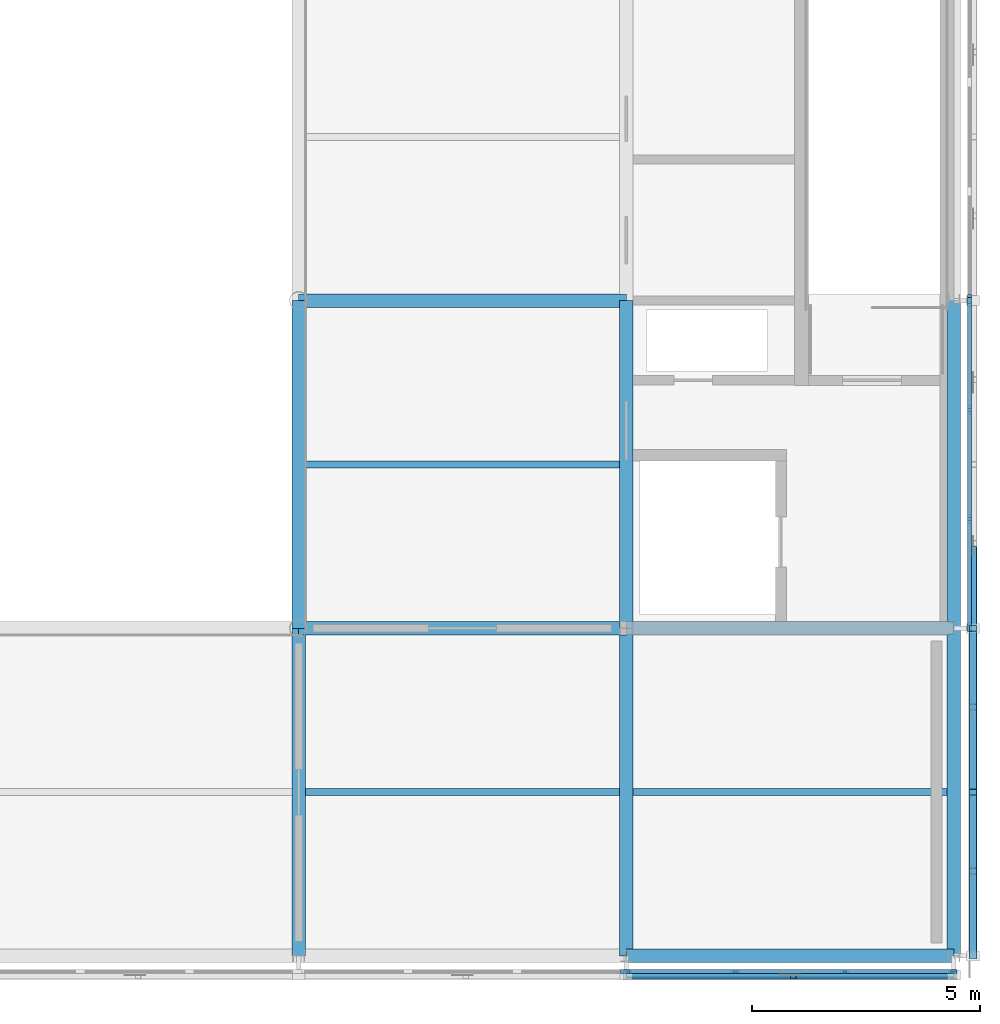
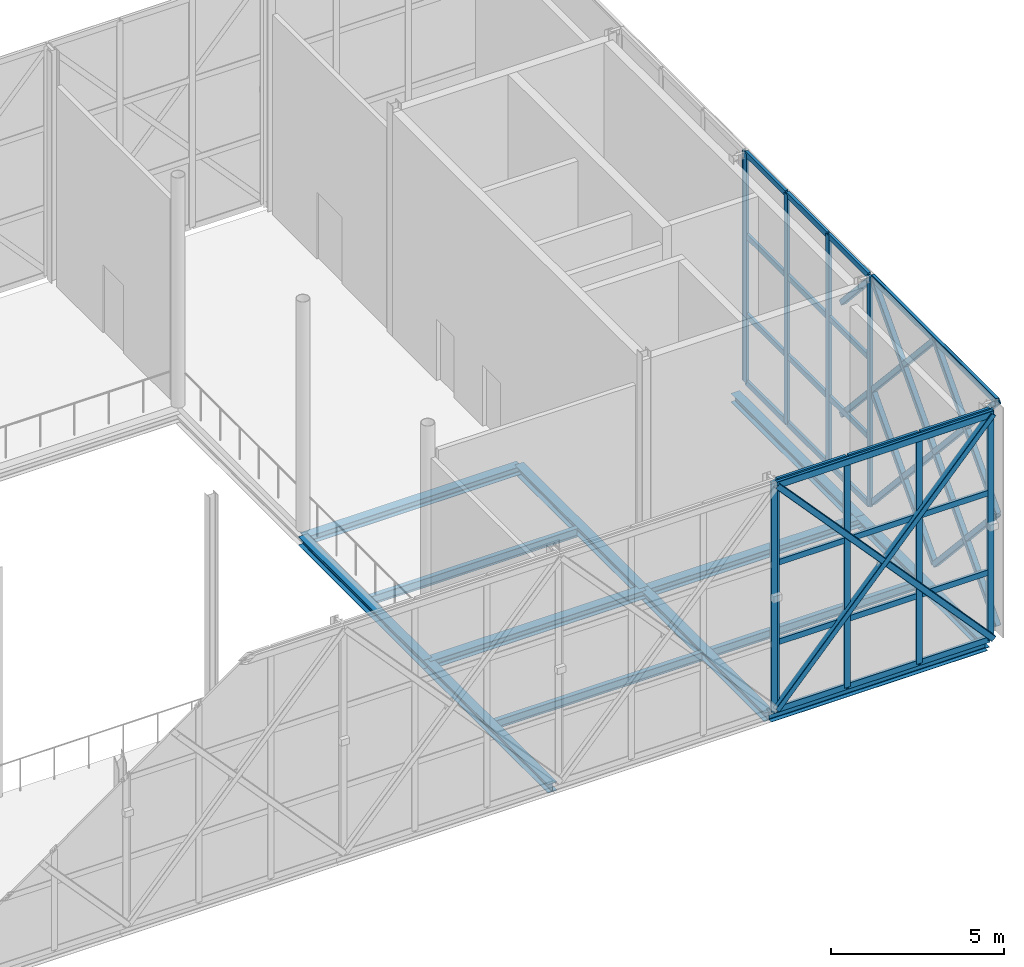
# One storey, part 18 of 76: 53 members, 13 beams, 4 elements without a shape of their own.
"""IFC4 building model written with IfcOpenShell, lengths in metres."""

import ifcopenshell
import ifcopenshell.guid

model = None  # the IFC model being written
_history = None  # IfcOwnerHistory: only IFC2X3 demands one
_inside = {}  # id of a spatial element -> (the spatial element, [elements in it])
_under = {}  # id of a project, library or spatial element -> (it, [spatial elements below it])
_declared = {}  # id of a project -> (the project, [libraries it declares])
_typed = {}  # id of a type object -> (the type object, [elements of that type])
_made_of = {}  # id of a material, layer set ... -> (it, [elements and type objects made of it])


def new_model(schema):
    """Start an empty IFC model of exactly this schema.

    Asked for "IFC4X3", IfcOpenShell would pick the latest addendum, in which some entities
    have other attributes; the version numbers below select the first issue.
    IFC2X3 requires an IfcOwnerHistory on every rooted entity: one is made here for all.
    """
    global model, _history
    if schema == "IFC4X3":
        model = ifcopenshell.file(schema_version=(4, 3, 0, 0))
    else:
        model = ifcopenshell.file(schema=schema)
    _inside.clear()
    _under.clear()
    _declared.clear()
    _typed.clear()
    _made_of.clear()
    _history = None
    if model.schema == "IFC2X3":
        org = make("IfcOrganization", Name="unknown")
        user = make(
            "IfcPersonAndOrganization",
            ThePerson=make("IfcPerson", FamilyName="unknown"),
            TheOrganization=org,
        )
        app = make(
            "IfcApplication",
            ApplicationDeveloper=org,
            Version="unknown",
            ApplicationFullName="unknown",
            ApplicationIdentifier="unknown",
        )
        _history = make(
            "IfcOwnerHistory",
            OwningUser=user,
            OwningApplication=app,
            ChangeAction="ADDED",
            CreationDate=0,
        )
    return model


def make(cls, **values):
    """One entity of the class cls with the attributes given. An attribute that is None is left unset."""
    return model.create_entity(
        cls, **{name: value for name, value in values.items() if value is not None}
    )


def rooted(cls, **values):
    """An entity with a GlobalId (a new one), such as an element, a storey or a relation."""
    return make(cls, GlobalId=ifcopenshell.guid.new(), OwnerHistory=_history, **values)


def si_unit(unit_type, name, prefix=None):
    """IfcSIUnit, for example si_unit("LENGTHUNIT", "METRE", prefix="MILLI")."""
    return make("IfcSIUnit", UnitType=unit_type, Prefix=prefix, Name=name)


def assignment(units):
    """IfcUnitAssignment: the units of a project."""
    return None if units is None else make("IfcUnitAssignment", Units=units)


def point(xyz):
    """IfcCartesianPoint."""
    return None if xyz is None else make("IfcCartesianPoint", Coordinates=xyz)


def direction(xyz):
    """IfcDirection."""
    return None if xyz is None else make("IfcDirection", DirectionRatios=xyz)


def frame(location, z_axis=None, x_axis=None):
    """IfcAxis2Placement3D, a coordinate frame: its origin and axes. An axis left out is left unset."""
    return make(
        "IfcAxis2Placement3D",
        Location=point(location),
        Axis=direction(z_axis),
        RefDirection=direction(x_axis),
    )


def frame_2d(location, x_axis=None):
    """IfcAxis2Placement2D, a coordinate frame in the plane: its origin and x axis."""
    return make(
        "IfcAxis2Placement2D", Location=point(location), RefDirection=direction(x_axis)
    )


def origin():
    """The frame at (0, 0, 0) with its axes left unset."""
    return frame((0.0, 0.0, 0.0))


def origin_2d():
    """The frame at (0, 0) in the plane with its x axis left unset."""
    return frame_2d((0.0, 0.0))


def place(relative_to, where):
    """IfcLocalPlacement: puts the frame where relative to a parent placement (None: the world)."""
    return make(
        "IfcLocalPlacement", PlacementRelTo=relative_to, RelativePlacement=where
    )


def context(
    kind, dimensions, precision=None, world=None, true_north=None, identifier=None
):
    """IfcGeometricRepresentationContext, for example the 3D "Model" context."""
    return make(
        "IfcGeometricRepresentationContext",
        ContextIdentifier=identifier,
        ContextType=kind,
        CoordinateSpaceDimension=dimensions,
        Precision=precision,
        WorldCoordinateSystem=world,
        TrueNorth=true_north,
    )


def subcontext(parent, identifier, kind, view, scale=None):
    """IfcGeometricRepresentationSubContext, for example "Body" below "Model"."""
    return make(
        "IfcGeometricRepresentationSubContext",
        ContextIdentifier=identifier,
        ContextType=kind,
        ParentContext=parent,
        TargetScale=scale,
        TargetView=view,
    )


def project(units=None, contexts=None):
    """IfcProject with its units and contexts."""
    return rooted(
        "IfcProject",
        Name="project",
        RepresentationContexts=contexts,
        UnitsInContext=assignment(units),
    )


def spatial(cls, under=None, at=None, **own):
    """A site, building, storey or space (cls), placed at a placement, below another one or the project."""
    s = rooted(cls, ObjectPlacement=at, **own)
    if under is not None:
        _under.setdefault(under.id(), (under, []))[1].append(s)
    return s


def profile(cls, at=None, kind="AREA", **sizes):
    """A parametric profile (cls). Its sizes go by their IFC names, for example OverallWidth=200.0."""
    return make(cls, ProfileType=kind, Position=at, **sizes)


def rectangle(**sizes):
    """IfcRectangleProfileDef."""
    return profile("IfcRectangleProfileDef", **sizes)


def hollow_rectangle(**sizes):
    """IfcRectangleHollowProfileDef."""
    return profile("IfcRectangleHollowProfileDef", **sizes)


def i_section(**sizes):
    """IfcIShapeProfileDef."""
    return profile("IfcIShapeProfileDef", **sizes)


def extrude(swept, where, along, depth):
    """IfcExtrudedAreaSolid: the profile swept, set in the frame where, extruded along a direction by depth."""
    return make(
        "IfcExtrudedAreaSolid",
        SweptArea=swept,
        Position=where,
        ExtrudedDirection=direction(along),
        Depth=depth,
    )


def shape(context_of_items, identifier, shape_type, items):
    """IfcShapeRepresentation: the items that make up one representation, for example the "Body"."""
    return make(
        "IfcShapeRepresentation",
        ContextOfItems=context_of_items,
        RepresentationIdentifier=identifier,
        RepresentationType=shape_type,
        Items=items,
    )


def material(Name=None, Category=None):
    """IfcMaterial."""
    return make("IfcMaterial", Name=Name, Category=Category)


def material_profile(
    of_material, cross_section, Name=None, Category=None, Priority=None
):
    """IfcMaterialProfile: a cross section and its material."""
    return make(
        "IfcMaterialProfile",
        Name=Name,
        Material=of_material,
        Profile=cross_section,
        Priority=Priority,
        Category=Category,
    )


def profile_set(profiles, Name=None, composite=None):
    """IfcMaterialProfileSet."""
    return make(
        "IfcMaterialProfileSet",
        Name=Name,
        MaterialProfiles=profiles,
        CompositeProfile=composite,
    )


def made_of(thing, what):
    """Note that an element or type object is made of a material, layer set ...; save() writes the relation."""
    if what is not None:
        _made_of.setdefault(what.id(), (what, []))[1].append(thing)
    return thing


def type_object(cls, material=None, **own):
    """A type object (cls), such as IfcWallType, which elements share."""
    return made_of(rooted(cls, **own), material)


def element(
    cls,
    number,
    at=None,
    inside=None,
    cuts=None,
    type_object=None,
    material=None,
    context=None,
    identifier="Body",
    shape_type=None,
    held_by="IfcProductDefinitionShape",
    body=None,
    shapes=None,
    **own,
):
    """One element of the class cls, such as IfcWall. Its Tag is "e" and its number.

    at: its placement. inside: the storey or other place that contains it. cuts: it is an
    opening in that element (IfcRelVoidsElement). A single representation is given by context,
    identifier, shape_type and body (its items); several are given by shapes. held_by: the class
    of the entity that holds the representations. save() writes the other relations.
    """
    e = rooted(cls, Tag="e%d" % number, ObjectPlacement=at, **own)
    if body is not None:
        shapes = [shape(context, identifier, shape_type, body)]
    if shapes is not None:
        e.Representation = make(held_by, Representations=shapes)
    if inside is not None:
        _inside.setdefault(inside.id(), (inside, []))[1].append(e)
    if cuts is not None:
        rooted(
            "IfcRelVoidsElement", RelatingBuildingElement=cuts, RelatedOpeningElement=e
        )
    if type_object is not None:
        _typed.setdefault(type_object.id(), (type_object, []))[1].append(e)
    return made_of(e, material)


def aggregate(whole, parts):
    """IfcRelAggregates: a whole, such as a stair, and the parts it consists of."""
    return rooted("IfcRelAggregates", RelatingObject=whole, RelatedObjects=parts)


def save(model, path):
    """Write the relations noted so far, then the file.

    IfcRelAggregates (storeys below a building ...), IfcRelContainedInSpatialStructure (elements
    in a storey), IfcRelDefinesByType, IfcRelAssociatesMaterial and IfcRelDeclares: one each for
    every whole, place, type object, material and project.
    """
    for whole, parts in _under.values():
        aggregate(whole, parts)
    for where, things in _inside.values():
        rooted(
            "IfcRelContainedInSpatialStructure",
            RelatedElements=things,
            RelatingStructure=where,
        )
    for kind, things in _typed.values():
        rooted("IfcRelDefinesByType", RelatedObjects=things, RelatingType=kind)
    for what, things in _made_of.values():
        rooted("IfcRelAssociatesMaterial", RelatedObjects=things, RelatingMaterial=what)
    for by, libraries in _declared.values():
        rooted("IfcRelDeclares", RelatingContext=by, RelatedDefinitions=libraries)
    model.write(path)


model = new_model("IFC4")

# Units and contexts
model_context = context("Model", 3, precision=1e-05, world=origin(), true_north=direction((0.0, 1.0)))
body_context = subcontext(model_context, "Body", "Model", "MODEL_VIEW")
ifc_project = project(units=[si_unit("LENGTHUNIT", "METRE"), si_unit("AREAUNIT", "SQUARE_METRE"), si_unit("VOLUMEUNIT", "CUBIC_METRE"), si_unit("PLANEANGLEUNIT", "RADIAN"), si_unit("MASSUNIT", "GRAM", prefix="KILO")], contexts=[model_context])

# Site, building, storey
site_placement = place(None, origin())
site = spatial("IfcSite", under=ifc_project, at=site_placement, CompositionType="ELEMENT")
building_placement = place(site_placement, origin())
building = spatial("IfcBuilding", under=site, at=building_placement, Name="Zlatovets Crest Museum", CompositionType="ELEMENT")
storey_placement = place(building_placement, frame((0.0, 0.0, 17.10009765625)))
storey = spatial("IfcBuildingStorey", under=building, at=storey_placement, Name="L04", CompositionType="ELEMENT", Elevation=17.10009765625)

# Beams
ifc_material_1 = material(Name="Structural steel S355J2", Category="steel")
ifc_material_profile_1 = material_profile(ifc_material_1, i_section(OverallWidth=0.300048828125, OverallDepth=0.31005859375, WebThickness=0.009033203125, FlangeThickness=0.015380859375, FilletRadius=0.027099609375, at=origin_2d()), Name="HEA 320")
ifc_profile_set_1 = profile_set([ifc_material_profile_1], Name="Structural steel S355J2")
beam_type_1 = type_object("IfcBeamType", Name="Beam_B-04", PredefinedType="BEAM", material=ifc_profile_set_1)
for number, where, z_axis, x_axis, name in (
    (1, (93.60009765625, 0.0, -0.39501953125), (0.0, 1.0, 0.0), (-1.0, 0.0, 0.0), "V2 L04 Grid Beam B-04"),
    (2, (93.60009765625, 7.199951171875, -0.39501953125), (0.0, 1.0, 0.0), (-1.0, 0.0, 0.0), "V2 L04 Grid Beam B-04"),
    (3, (100.800048828125, 0.0, -0.39501953125), (0.0, 1.0, 0.0), (-1.0, 0.0, 0.0), "V2 L04 Grid Beam B-04"),
    (4, (100.800048828125, 7.199951171875, -0.39501953125), (0.0, 1.0, 0.0), (-1.0, 0.0, 0.0), "V2 L04 Grid Beam B-04"),
    (5, (108.0, 0.0, -0.39501953125), (0.0, 1.0, 0.0), (-1.0, 0.0, 0.0), "V2 L04 Grid Beam B-04"),
    (6, (108.0, 7.199951171875, -0.39501953125), (0.0, 1.0, 0.0), (-1.0, 0.0, 0.0), "V2 L04 Grid Beam B-04"),
):
    element("IfcBeam", number, at=place(storey_placement, frame(where, z_axis=z_axis, x_axis=x_axis)), inside=storey, type_object=beam_type_1, Name=name, PredefinedType="BEAM", context=body_context, shape_type="SweptSolid", body=[
        extrude(i_section(OverallWidth=0.300048828125, OverallDepth=0.31005859375, WebThickness=0.009033203125, FlangeThickness=0.015380859375, FilletRadius=0.027099609375, at=origin_2d()), origin(), (0.0, 0.0, 1.0), 7.199951171875),
    ])
ifc_material_profile_2 = material_profile(ifc_material_1, i_section(OverallWidth=0.300048828125, OverallDepth=0.2900390625, WebThickness=0.008544921875, FlangeThickness=0.013916015625, FilletRadius=0.027099609375, at=origin_2d()), Name="HEA 300")
ifc_profile_set_2 = profile_set([ifc_material_profile_2], Name="Structural steel S355J2")
beam_type_2 = type_object("IfcBeamType", Name="Beam_B-12", PredefinedType="BEAM", material=ifc_profile_set_2)
for number, where, z_axis, x_axis, name in (
    (7, (100.800048828125, 0.0, -0.385009765625), (1.0, 0.0, 0.0), (0.0, 1.0, 0.0), "V2 L04 Primary Girder B-12"),
    (8, (93.60009765625, 7.199951171875, -0.385009765625), (1.0, 0.0, 0.0), (0.0, 1.0, 0.0), "V2 L04 Primary Girder B-12"),
    (9, (100.800048828125, 7.199951171875, -0.385009765625), (1.0, 0.0, 0.0), (0.0, 1.0, 0.0), "V2 L04 Primary Girder B-12"),
    (10, (93.60009765625, 14.39990234375, -0.385009765625), (1.0, 0.0, 0.0), (0.0, 1.0, 0.0), "V2 L04 Primary Girder B-12"),
):
    element("IfcBeam", number, at=place(storey_placement, frame(where, z_axis=z_axis, x_axis=x_axis)), inside=storey, type_object=beam_type_2, Name=name, PredefinedType="BEAM", context=body_context, shape_type="SweptSolid", body=[
        extrude(i_section(OverallWidth=0.300048828125, OverallDepth=0.2900390625, WebThickness=0.008544921875, FlangeThickness=0.013916015625, FilletRadius=0.027099609375, at=origin_2d()), origin(), (0.0, 0.0, 1.0), 7.199951171875),
    ])
ifc_material_profile_3 = material_profile(ifc_material_1, i_section(OverallWidth=0.14990234375, OverallDepth=0.300048828125, WebThickness=0.007080078125, FlangeThickness=0.0107421875, FilletRadius=0.014892578125, at=origin_2d()), Name="IPE 300")
ifc_profile_set_3 = profile_set([ifc_material_profile_3], Name="Structural steel S355J2")
beam_type_3 = type_object("IfcBeamType", Name="Beam_J-02", PredefinedType="JOIST", material=ifc_profile_set_3)
for number, where, z_axis, x_axis, name in (
    (11, (93.75, 3.60009765625, -0.39013671875), (1.0, 0.0, 0.0), (0.0, 1.0, 0.0), "V2 L04 Composite Joist J-02"),
    (12, (93.75, 10.800048828125, -0.39013671875), (1.0, 0.0, 0.0), (0.0, 1.0, 0.0), "V2 L04 Composite Joist J-02"),
):
    element("IfcBeam", number, at=place(storey_placement, frame(where, z_axis=z_axis, x_axis=x_axis)), inside=storey, type_object=beam_type_3, Name=name, PredefinedType="JOIST", context=body_context, shape_type="SweptSolid", body=[
        extrude(i_section(OverallWidth=0.14990234375, OverallDepth=0.300048828125, WebThickness=0.007080078125, FlangeThickness=0.0107421875, FilletRadius=0.014892578125, at=origin_2d()), origin(), (0.0, 0.0, 1.0), 6.89990234375),
    ])
beam_placement = place(storey_placement, frame((100.949951171875, 3.60009765625, -0.39013671875), z_axis=(1.0, 0.0, 0.0), x_axis=(0.0, 1.0, 0.0)))
element("IfcBeam", 13, at=beam_placement, inside=storey, type_object=beam_type_3, Name="V2 L04 Composite Joist J-02", PredefinedType="JOIST", context=body_context, shape_type="SweptSolid", body=[
    extrude(i_section(OverallWidth=0.14990234375, OverallDepth=0.300048828125, WebThickness=0.007080078125, FlangeThickness=0.0107421875, FilletRadius=0.014892578125, at=origin_2d()), origin(), (0.0, 0.0, 1.0), 6.900146484375),
])

# Curtain wall, member
ifc_material_2 = material(Name="Bronze-anodised aluminium and low-E triple glass", Category="aluminium")
curtain_wall_type_1 = type_object("IfcCurtainWallType", Name="CW_CW-V2-L04-M1", PredefinedType="NOTDEFINED", material=ifc_material_2)
curtain_wall_1_placement = place(storey_placement, origin())
curtain_wall_1 = element("IfcCurtainWall", 14, at=curtain_wall_1_placement, inside=storey, type_object=curtain_wall_type_1, Name="V2 L04 Secession Foyer Clear Curtain Wall", PredefinedType="NOTDEFINED")
ifc_material_3 = material(Name="Bronze-anodised aluminium EN AW-6060", Category="aluminium")
ifc_material_profile_4 = material_profile(ifc_material_3, rectangle(XDim=0.090087890625, YDim=0.199951171875, at=origin_2d()), Name="ALU 90x200")
ifc_profile_set_4 = profile_set([ifc_material_profile_4], Name="Bronze-anodised aluminium EN AW-6060")
member_type_1 = type_object("IfcMemberType", Name="CWMull_M2", PredefinedType="MULLION", material=ifc_profile_set_4)
member_1_placement = place(storey_placement, frame((100.77001953125, -0.340087890625, 0.0), z_axis=(0.0, 0.0, 1.0), x_axis=(0.0, 1.0, 0.0)))
member_1 = element("IfcMember", 15, at=member_1_placement, type_object=member_type_1, Name="CW-V2-L04-M1 mullion 4", PredefinedType="MULLION", context=body_context, shape_type="SweptSolid", body=[
    extrude(rectangle(XDim=0.090087890625, YDim=0.199951171875, at=origin_2d()), origin(), (0.0, 0.0, 1.0), 8.099853515625),
])
aggregate(curtain_wall_1, [member_1])

# Curtain wall, members
curtain_wall_type_2 = type_object("IfcCurtainWallType", Name="CW_CW-V2-L04-M2", PredefinedType="NOTDEFINED", material=ifc_material_2)
curtain_wall_2_placement = place(storey_placement, origin())
curtain_wall_2 = element("IfcCurtainWall", 16, at=curtain_wall_2_placement, inside=storey, type_object=curtain_wall_type_2, Name="V2 L04 Secession Foyer Clear Curtain Wall", PredefinedType="NOTDEFINED")
member_2_placement = place(storey_placement, frame((100.830078125, -0.340087890625, 0.0), z_axis=(0.0, 0.0, 1.0), x_axis=(0.0, 1.0, 0.0)))
member_2 = element("IfcMember", 17, at=member_2_placement, type_object=member_type_1, Name="CW-V2-L04-M2 mullion 1", PredefinedType="MULLION", context=body_context, shape_type="SweptSolid", body=[
    extrude(rectangle(XDim=0.090087890625, YDim=0.199951171875, at=origin_2d()), origin(), (0.0, 0.0, 1.0), 8.099853515625),
])
member_3_placement = place(storey_placement, frame((103.199951171875, -0.340087890625, 0.0), z_axis=(0.0, 0.0, 1.0), x_axis=(0.0, 1.0, 0.0)))
member_3 = element("IfcMember", 18, at=member_3_placement, type_object=member_type_1, Name="CW-V2-L04-M2 mullion 2", PredefinedType="MULLION", context=body_context, shape_type="SweptSolid", body=[
    extrude(rectangle(XDim=0.090087890625, YDim=0.199951171875, at=origin_2d()), origin(), (0.0, 0.0, 1.0), 8.099853515625),
])
member_4_placement = place(storey_placement, frame((105.60009765625, -0.340087890625, 0.0), z_axis=(0.0, 0.0, 1.0), x_axis=(0.0, 1.0, 0.0)))
member_4 = element("IfcMember", 19, at=member_4_placement, type_object=member_type_1, Name="CW-V2-L04-M2 mullion 3", PredefinedType="MULLION", context=body_context, shape_type="SweptSolid", body=[
    extrude(rectangle(XDim=0.090087890625, YDim=0.199951171875, at=origin_2d()), origin(), (0.0, 0.0, 1.0), 8.099853515625),
])
member_5_placement = place(storey_placement, frame((107.969970703125, -0.340087890625, 0.0), z_axis=(0.0, 0.0, 1.0), x_axis=(0.0, 1.0, 0.0)))
member_5 = element("IfcMember", 20, at=member_5_placement, type_object=member_type_1, Name="CW-V2-L04-M2 mullion 4", PredefinedType="MULLION", context=body_context, shape_type="SweptSolid", body=[
    extrude(rectangle(XDim=0.090087890625, YDim=0.199951171875, at=origin_2d()), origin(), (0.0, 0.0, 1.0), 8.099853515625),
])

curtain_wall_type_3 = type_object("IfcCurtainWallType", Name="CW_CW-V2-L04-M0", PredefinedType="NOTDEFINED", material=ifc_material_2)
curtain_wall_3_placement = place(storey_placement, origin())
curtain_wall_3 = element("IfcCurtainWall", 21, at=curtain_wall_3_placement, inside=storey, type_object=curtain_wall_type_3, Name="V2 L04 Expressed Core Glazed Facade", PredefinedType="NOTDEFINED")
member_6_placement = place(storey_placement, frame((108.340087890625, 7.22998046875, 0.0), z_axis=(0.0, 0.0, 1.0), x_axis=(-1.0, 0.0, 0.0)))
member_6 = element("IfcMember", 22, at=member_6_placement, type_object=member_type_1, Name="CW-V2-L04-M0 mullion 1", PredefinedType="MULLION", context=body_context, shape_type="SweptSolid", body=[
    extrude(rectangle(XDim=0.090087890625, YDim=0.199951171875, at=origin_2d()), origin(), (0.0, 0.0, 1.0), 8.099853515625),
])
member_7_placement = place(storey_placement, frame((108.340087890625, 9.60009765625, 0.0), z_axis=(0.0, 0.0, 1.0), x_axis=(-1.0, 0.0, 0.0)))
member_7 = element("IfcMember", 23, at=member_7_placement, type_object=member_type_1, Name="CW-V2-L04-M0 mullion 2", PredefinedType="MULLION", context=body_context, shape_type="SweptSolid", body=[
    extrude(rectangle(XDim=0.090087890625, YDim=0.199951171875, at=origin_2d()), origin(), (0.0, 0.0, 1.0), 8.099853515625),
])
member_8_placement = place(storey_placement, frame((108.340087890625, 12.0, 0.0), z_axis=(0.0, 0.0, 1.0), x_axis=(-1.0, 0.0, 0.0)))
member_8 = element("IfcMember", 24, at=member_8_placement, type_object=member_type_1, Name="CW-V2-L04-M0 mullion 3", PredefinedType="MULLION", context=body_context, shape_type="SweptSolid", body=[
    extrude(rectangle(XDim=0.090087890625, YDim=0.199951171875, at=origin_2d()), origin(), (0.0, 0.0, 1.0), 8.099853515625),
])
member_9_placement = place(storey_placement, frame((108.340087890625, 14.3701171875, 0.0), z_axis=(0.0, 0.0, 1.0), x_axis=(-1.0, 0.0, 0.0)))
member_9 = element("IfcMember", 25, at=member_9_placement, type_object=member_type_1, Name="CW-V2-L04-M0 mullion 4", PredefinedType="MULLION", context=body_context, shape_type="SweptSolid", body=[
    extrude(rectangle(XDim=0.090087890625, YDim=0.199951171875, at=origin_2d()), origin(), (0.0, 0.0, 1.0), 8.099853515625),
])

# Curtain wall, member
curtain_wall_4_placement = place(storey_placement, origin())
curtain_wall_4 = element("IfcCurtainWall", 26, at=curtain_wall_4_placement, inside=storey, type_object=curtain_wall_type_1, Name="V2 L04 Expressed Core Glazed Facade", PredefinedType="NOTDEFINED")
member_10_placement = place(storey_placement, frame((108.340087890625, 14.429931640625, 0.0), z_axis=(0.0, 0.0, 1.0), x_axis=(-1.0, 0.0, 0.0)))
member_10 = element("IfcMember", 27, at=member_10_placement, type_object=member_type_1, Name="CW-V2-L04-M1 mullion 1", PredefinedType="MULLION", context=body_context, shape_type="SweptSolid", body=[
    extrude(rectangle(XDim=0.090087890625, YDim=0.199951171875, at=origin_2d()), origin(), (0.0, 0.0, 1.0), 8.099853515625),
])
aggregate(curtain_wall_4, [member_10])

# Member
ifc_material_profile_5 = material_profile(ifc_material_3, rectangle(XDim=0.090087890625, YDim=0.199951171875, at=origin_2d()), Name="ALU 90x200")
ifc_profile_set_5 = profile_set([ifc_material_profile_5], Name="Bronze-anodised aluminium EN AW-6060")
member_type_2 = type_object("IfcMemberType", Name="CWTrans_T2", PredefinedType="USERDEFINED", material=ifc_profile_set_5)
member_11_placement = place(storey_placement, frame((100.860107421875, -0.340087890625, 0.02978515625), z_axis=(1.0, 0.0, 0.0), x_axis=(0.0, 1.0, 0.0)))
member_11 = element("IfcMember", 28, at=member_11_placement, type_object=member_type_2, Name="CW-V2-L04-M2 transom 1.1", ObjectType="TRANSOM", PredefinedType="USERDEFINED", context=body_context, shape_type="SweptSolid", body=[
    extrude(rectangle(XDim=0.090087890625, YDim=0.199951171875, at=origin_2d()), origin(), (0.0, 0.0, 1.0), 2.309814453125),
])

member_12_placement = place(storey_placement, frame((100.860107421875, -0.340087890625, 2.39990234375), z_axis=(1.0, 0.0, 0.0), x_axis=(0.0, 1.0, 0.0)))
member_12 = element("IfcMember", 29, at=member_12_placement, type_object=member_type_2, Name="CW-V2-L04-M2 transom 1.2", ObjectType="TRANSOM", PredefinedType="USERDEFINED", context=body_context, shape_type="SweptSolid", body=[
    extrude(rectangle(XDim=0.090087890625, YDim=0.199951171875, at=origin_2d()), origin(), (0.0, 0.0, 1.0), 2.309814453125),
])

member_13_placement = place(storey_placement, frame((100.860107421875, -0.340087890625, 5.199951171875), z_axis=(1.0, 0.0, 0.0), x_axis=(0.0, 1.0, 0.0)))
member_13 = element("IfcMember", 30, at=member_13_placement, type_object=member_type_2, Name="CW-V2-L04-M2 transom 1.3", ObjectType="TRANSOM", PredefinedType="USERDEFINED", context=body_context, shape_type="SweptSolid", body=[
    extrude(rectangle(XDim=0.090087890625, YDim=0.199951171875, at=origin_2d()), origin(), (0.0, 0.0, 1.0), 2.309814453125),
])

member_14_placement = place(storey_placement, frame((100.860107421875, -0.340087890625, 8.06982421875), z_axis=(1.0, 0.0, 0.0), x_axis=(0.0, 1.0, 0.0)))
member_14 = element("IfcMember", 31, at=member_14_placement, type_object=member_type_2, Name="CW-V2-L04-M2 transom 1.4", ObjectType="TRANSOM", PredefinedType="USERDEFINED", context=body_context, shape_type="SweptSolid", body=[
    extrude(rectangle(XDim=0.090087890625, YDim=0.199951171875, at=origin_2d()), origin(), (0.0, 0.0, 1.0), 2.309814453125),
])

member_15_placement = place(storey_placement, frame((103.22998046875, -0.340087890625, 0.02978515625), z_axis=(1.0, 0.0, 0.0), x_axis=(0.0, 1.0, 0.0)))
member_15 = element("IfcMember", 32, at=member_15_placement, type_object=member_type_2, Name="CW-V2-L04-M2 transom 2.1", ObjectType="TRANSOM", PredefinedType="USERDEFINED", context=body_context, shape_type="SweptSolid", body=[
    extrude(rectangle(XDim=0.090087890625, YDim=0.199951171875, at=origin_2d()), origin(), (0.0, 0.0, 1.0), 2.340087890625),
])

member_16_placement = place(storey_placement, frame((103.22998046875, -0.340087890625, 2.39990234375), z_axis=(1.0, 0.0, 0.0), x_axis=(0.0, 1.0, 0.0)))
member_16 = element("IfcMember", 33, at=member_16_placement, type_object=member_type_2, Name="CW-V2-L04-M2 transom 2.2", ObjectType="TRANSOM", PredefinedType="USERDEFINED", context=body_context, shape_type="SweptSolid", body=[
    extrude(rectangle(XDim=0.090087890625, YDim=0.199951171875, at=origin_2d()), origin(), (0.0, 0.0, 1.0), 2.340087890625),
])

member_17_placement = place(storey_placement, frame((103.22998046875, -0.340087890625, 5.199951171875), z_axis=(1.0, 0.0, 0.0), x_axis=(0.0, 1.0, 0.0)))
member_17 = element("IfcMember", 34, at=member_17_placement, type_object=member_type_2, Name="CW-V2-L04-M2 transom 2.3", ObjectType="TRANSOM", PredefinedType="USERDEFINED", context=body_context, shape_type="SweptSolid", body=[
    extrude(rectangle(XDim=0.090087890625, YDim=0.199951171875, at=origin_2d()), origin(), (0.0, 0.0, 1.0), 2.340087890625),
])

member_18_placement = place(storey_placement, frame((103.22998046875, -0.340087890625, 8.06982421875), z_axis=(1.0, 0.0, 0.0), x_axis=(0.0, 1.0, 0.0)))
member_18 = element("IfcMember", 35, at=member_18_placement, type_object=member_type_2, Name="CW-V2-L04-M2 transom 2.4", ObjectType="TRANSOM", PredefinedType="USERDEFINED", context=body_context, shape_type="SweptSolid", body=[
    extrude(rectangle(XDim=0.090087890625, YDim=0.199951171875, at=origin_2d()), origin(), (0.0, 0.0, 1.0), 2.340087890625),
])

member_19_placement = place(storey_placement, frame((105.6298828125, -0.340087890625, 0.02978515625), z_axis=(1.0, 0.0, 0.0), x_axis=(0.0, 1.0, 0.0)))
member_19 = element("IfcMember", 36, at=member_19_placement, type_object=member_type_2, Name="CW-V2-L04-M2 transom 3.1", ObjectType="TRANSOM", PredefinedType="USERDEFINED", context=body_context, shape_type="SweptSolid", body=[
    extrude(rectangle(XDim=0.090087890625, YDim=0.199951171875, at=origin_2d()), origin(), (0.0, 0.0, 1.0), 2.31005859375),
])

member_20_placement = place(storey_placement, frame((105.6298828125, -0.340087890625, 2.39990234375), z_axis=(1.0, 0.0, 0.0), x_axis=(0.0, 1.0, 0.0)))
member_20 = element("IfcMember", 37, at=member_20_placement, type_object=member_type_2, Name="CW-V2-L04-M2 transom 3.2", ObjectType="TRANSOM", PredefinedType="USERDEFINED", context=body_context, shape_type="SweptSolid", body=[
    extrude(rectangle(XDim=0.090087890625, YDim=0.199951171875, at=origin_2d()), origin(), (0.0, 0.0, 1.0), 2.31005859375),
])

member_21_placement = place(storey_placement, frame((105.6298828125, -0.340087890625, 5.199951171875), z_axis=(1.0, 0.0, 0.0), x_axis=(0.0, 1.0, 0.0)))
member_21 = element("IfcMember", 38, at=member_21_placement, type_object=member_type_2, Name="CW-V2-L04-M2 transom 3.3", ObjectType="TRANSOM", PredefinedType="USERDEFINED", context=body_context, shape_type="SweptSolid", body=[
    extrude(rectangle(XDim=0.090087890625, YDim=0.199951171875, at=origin_2d()), origin(), (0.0, 0.0, 1.0), 2.31005859375),
])

member_22_placement = place(storey_placement, frame((105.6298828125, -0.340087890625, 8.06982421875), z_axis=(1.0, 0.0, 0.0), x_axis=(0.0, 1.0, 0.0)))
member_22 = element("IfcMember", 39, at=member_22_placement, type_object=member_type_2, Name="CW-V2-L04-M2 transom 3.4", ObjectType="TRANSOM", PredefinedType="USERDEFINED", context=body_context, shape_type="SweptSolid", body=[
    extrude(rectangle(XDim=0.090087890625, YDim=0.199951171875, at=origin_2d()), origin(), (0.0, 0.0, 1.0), 2.31005859375),
])

aggregate(curtain_wall_2, [member_2, member_3, member_4, member_5, member_11, member_12, member_13, member_14, member_15, member_16, member_17, member_18, member_19, member_20, member_21, member_22])

member_23_placement = place(storey_placement, frame((108.340087890625, 7.260009765625, 0.02978515625), z_axis=(0.0, 1.0, 0.0), x_axis=(-1.0, 0.0, 0.0)))
member_23 = element("IfcMember", 40, at=member_23_placement, type_object=member_type_2, Name="CW-V2-L04-M0 transom 1.1", ObjectType="TRANSOM", PredefinedType="USERDEFINED", context=body_context, shape_type="SweptSolid", body=[
    extrude(rectangle(XDim=0.090087890625, YDim=0.199951171875, at=origin_2d()), origin(), (0.0, 0.0, 1.0), 2.31005859375),
])

member_24_placement = place(storey_placement, frame((108.340087890625, 7.260009765625, 2.39990234375), z_axis=(0.0, 1.0, 0.0), x_axis=(-1.0, 0.0, 0.0)))
member_24 = element("IfcMember", 41, at=member_24_placement, type_object=member_type_2, Name="CW-V2-L04-M0 transom 1.2", ObjectType="TRANSOM", PredefinedType="USERDEFINED", context=body_context, shape_type="SweptSolid", body=[
    extrude(rectangle(XDim=0.090087890625, YDim=0.199951171875, at=origin_2d()), origin(), (0.0, 0.0, 1.0), 2.31005859375),
])

member_25_placement = place(storey_placement, frame((108.340087890625, 7.260009765625, 5.199951171875), z_axis=(0.0, 1.0, 0.0), x_axis=(-1.0, 0.0, 0.0)))
member_25 = element("IfcMember", 42, at=member_25_placement, type_object=member_type_2, Name="CW-V2-L04-M0 transom 1.3", ObjectType="TRANSOM", PredefinedType="USERDEFINED", context=body_context, shape_type="SweptSolid", body=[
    extrude(rectangle(XDim=0.090087890625, YDim=0.199951171875, at=origin_2d()), origin(), (0.0, 0.0, 1.0), 2.31005859375),
])

member_26_placement = place(storey_placement, frame((108.340087890625, 7.260009765625, 8.06982421875), z_axis=(0.0, 1.0, 0.0), x_axis=(-1.0, 0.0, 0.0)))
member_26 = element("IfcMember", 43, at=member_26_placement, type_object=member_type_2, Name="CW-V2-L04-M0 transom 1.4", ObjectType="TRANSOM", PredefinedType="USERDEFINED", context=body_context, shape_type="SweptSolid", body=[
    extrude(rectangle(XDim=0.090087890625, YDim=0.199951171875, at=origin_2d()), origin(), (0.0, 0.0, 1.0), 2.31005859375),
])

member_27_placement = place(storey_placement, frame((108.340087890625, 9.6298828125, 0.02978515625), z_axis=(0.0, 1.0, 0.0), x_axis=(-1.0, 0.0, 0.0)))
member_27 = element("IfcMember", 44, at=member_27_placement, type_object=member_type_2, Name="CW-V2-L04-M0 transom 2.1", ObjectType="TRANSOM", PredefinedType="USERDEFINED", context=body_context, shape_type="SweptSolid", body=[
    extrude(rectangle(XDim=0.090087890625, YDim=0.199951171875, at=origin_2d()), origin(), (0.0, 0.0, 1.0), 2.340087890625),
])

member_28_placement = place(storey_placement, frame((108.340087890625, 9.6298828125, 2.39990234375), z_axis=(0.0, 1.0, 0.0), x_axis=(-1.0, 0.0, 0.0)))
member_28 = element("IfcMember", 45, at=member_28_placement, type_object=member_type_2, Name="CW-V2-L04-M0 transom 2.2", ObjectType="TRANSOM", PredefinedType="USERDEFINED", context=body_context, shape_type="SweptSolid", body=[
    extrude(rectangle(XDim=0.090087890625, YDim=0.199951171875, at=origin_2d()), origin(), (0.0, 0.0, 1.0), 2.340087890625),
])

member_29_placement = place(storey_placement, frame((108.340087890625, 9.6298828125, 5.199951171875), z_axis=(0.0, 1.0, 0.0), x_axis=(-1.0, 0.0, 0.0)))
member_29 = element("IfcMember", 46, at=member_29_placement, type_object=member_type_2, Name="CW-V2-L04-M0 transom 2.3", ObjectType="TRANSOM", PredefinedType="USERDEFINED", context=body_context, shape_type="SweptSolid", body=[
    extrude(rectangle(XDim=0.090087890625, YDim=0.199951171875, at=origin_2d()), origin(), (0.0, 0.0, 1.0), 2.340087890625),
])

member_30_placement = place(storey_placement, frame((108.340087890625, 9.6298828125, 8.06982421875), z_axis=(0.0, 1.0, 0.0), x_axis=(-1.0, 0.0, 0.0)))
member_30 = element("IfcMember", 47, at=member_30_placement, type_object=member_type_2, Name="CW-V2-L04-M0 transom 2.4", ObjectType="TRANSOM", PredefinedType="USERDEFINED", context=body_context, shape_type="SweptSolid", body=[
    extrude(rectangle(XDim=0.090087890625, YDim=0.199951171875, at=origin_2d()), origin(), (0.0, 0.0, 1.0), 2.340087890625),
])

member_31_placement = place(storey_placement, frame((108.340087890625, 12.030029296875, 0.02978515625), z_axis=(0.0, 1.0, 0.0), x_axis=(-1.0, 0.0, 0.0)))
member_31 = element("IfcMember", 48, at=member_31_placement, type_object=member_type_2, Name="CW-V2-L04-M0 transom 3.1", ObjectType="TRANSOM", PredefinedType="USERDEFINED", context=body_context, shape_type="SweptSolid", body=[
    extrude(rectangle(XDim=0.090087890625, YDim=0.199951171875, at=origin_2d()), origin(), (0.0, 0.0, 1.0), 2.31005859375),
])

member_32_placement = place(storey_placement, frame((108.340087890625, 12.030029296875, 2.39990234375), z_axis=(0.0, 1.0, 0.0), x_axis=(-1.0, 0.0, 0.0)))
member_32 = element("IfcMember", 49, at=member_32_placement, type_object=member_type_2, Name="CW-V2-L04-M0 transom 3.2", ObjectType="TRANSOM", PredefinedType="USERDEFINED", context=body_context, shape_type="SweptSolid", body=[
    extrude(rectangle(XDim=0.090087890625, YDim=0.199951171875, at=origin_2d()), origin(), (0.0, 0.0, 1.0), 2.31005859375),
])

member_33_placement = place(storey_placement, frame((108.340087890625, 12.030029296875, 5.199951171875), z_axis=(0.0, 1.0, 0.0), x_axis=(-1.0, 0.0, 0.0)))
member_33 = element("IfcMember", 50, at=member_33_placement, type_object=member_type_2, Name="CW-V2-L04-M0 transom 3.3", ObjectType="TRANSOM", PredefinedType="USERDEFINED", context=body_context, shape_type="SweptSolid", body=[
    extrude(rectangle(XDim=0.090087890625, YDim=0.199951171875, at=origin_2d()), origin(), (0.0, 0.0, 1.0), 2.31005859375),
])

member_34_placement = place(storey_placement, frame((108.340087890625, 12.030029296875, 8.06982421875), z_axis=(0.0, 1.0, 0.0), x_axis=(-1.0, 0.0, 0.0)))
member_34 = element("IfcMember", 51, at=member_34_placement, type_object=member_type_2, Name="CW-V2-L04-M0 transom 3.4", ObjectType="TRANSOM", PredefinedType="USERDEFINED", context=body_context, shape_type="SweptSolid", body=[
    extrude(rectangle(XDim=0.090087890625, YDim=0.199951171875, at=origin_2d()), origin(), (0.0, 0.0, 1.0), 2.31005859375),
])

aggregate(curtain_wall_3, [member_6, member_7, member_8, member_9, member_23, member_24, member_25, member_26, member_27, member_28, member_29, member_30, member_31, member_32, member_33, member_34])

# Members
ifc_material_4 = material(Name="Weathering bronze-steel S355J2W", Category="steel")
ifc_material_profile_6 = material_profile(ifc_material_4, hollow_rectangle(XDim=0.179931640625, YDim=0.179931640625, WallThickness=0.010009765625, InnerFilletRadius=0.010009765625, OuterFilletRadius=0.02001953125, at=origin_2d()), Name="SHS 180x180x10.0")
ifc_profile_set_6 = profile_set([ifc_material_profile_6], Name="Weathering bronze-steel S355J2W")
member_type_3 = type_object("IfcMemberType", Name="Lattice_XL-01", PredefinedType="BRACE", material=ifc_profile_set_6)
member_35_placement = place(storey_placement, frame((108.419921875, 0.0, 0.099853515625), z_axis=(0.0, 0.673618118362, 0.739079583411), x_axis=(-1.0, 0.0, 0.0)))
element("IfcMember", 52, at=member_35_placement, inside=storey, type_object=member_type_3, Name="Continuous Bronze Lattice Diagonal", PredefinedType="BRACE", context=body_context, shape_type="SweptSolid", body=[
    extrude(hollow_rectangle(XDim=0.179931640625, YDim=0.179931640625, WallThickness=0.010009765625, InnerFilletRadius=0.010009765625, OuterFilletRadius=0.02001953125, at=origin_2d()), origin(), (0.0, 0.0, 1.0), 5.344482421875),
])
for number, where, z_axis, x_axis, name in (
    (53, (108.419921875, 0.0, 4.0498046875), (0.0, 0.673619963761, -0.739077901457), (-1.0, 0.0, 0.0), "Split Crossing Bronze Lattice Diagonal Upper"),
    (54, (108.419921875, 1.864013671875, 2.004638671875), (0.0, 0.673619963761, -0.739077901457), (-1.0, 0.0, 0.0), "Split Crossing Bronze Lattice Diagonal Lower"),
):
    element("IfcMember", number, at=place(storey_placement, frame(where, z_axis=z_axis, x_axis=x_axis)), inside=storey, type_object=member_type_3, Name=name, PredefinedType="BRACE", context=body_context, shape_type="SweptSolid", body=[
        extrude(hollow_rectangle(XDim=0.179931640625, YDim=0.179931640625, WallThickness=0.010009765625, InnerFilletRadius=0.010009765625, OuterFilletRadius=0.02001953125, at=origin_2d()), origin(), (0.0, 0.0, 1.0), 2.5771484375),
    ])
member_36_placement = place(storey_placement, frame((108.419921875, 3.60009765625, 0.099853515625), z_axis=(0.0, 0.673593164257, 0.739102326519), x_axis=(-1.0, 0.0, 0.0)))
element("IfcMember", 55, at=member_36_placement, inside=storey, type_object=member_type_3, Name="Continuous Bronze Lattice Diagonal", PredefinedType="BRACE", context=body_context, shape_type="SweptSolid", body=[
    extrude(hollow_rectangle(XDim=0.179931640625, YDim=0.179931640625, WallThickness=0.010009765625, InnerFilletRadius=0.010009765625, OuterFilletRadius=0.02001953125, at=origin_2d()), origin(), (0.0, 0.0, 1.0), 5.34423828125),
])
for number, where, z_axis, x_axis, name in (
    (56, (108.419921875, 3.60009765625, 4.0498046875), (0.0, 0.673568214247, -0.739125064354), (-1.0, 0.0, 0.0), "Split Crossing Bronze Lattice Diagonal Upper"),
    (57, (108.419921875, 5.464111328125, 2.004638671875), (0.0, 0.673568214247, -0.739125064354), (-1.0, 0.0, 0.0), "Split Crossing Bronze Lattice Diagonal Lower"),
):
    element("IfcMember", number, at=place(storey_placement, frame(where, z_axis=z_axis, x_axis=x_axis)), inside=storey, type_object=member_type_3, Name=name, PredefinedType="BRACE", context=body_context, shape_type="SweptSolid", body=[
        extrude(hollow_rectangle(XDim=0.179931640625, YDim=0.179931640625, WallThickness=0.010009765625, InnerFilletRadius=0.010009765625, OuterFilletRadius=0.02001953125, at=origin_2d()), origin(), (0.0, 0.0, 1.0), 2.5771484375),
    ])
member_37_placement = place(storey_placement, frame((108.419921875, 0.0, 4.0498046875), z_axis=(0.0, 0.673595375981, 0.739100310822), x_axis=(-1.0, 0.0, 0.0)))
element("IfcMember", 58, at=member_37_placement, inside=storey, type_object=member_type_3, Name="Continuous Bronze Lattice Diagonal", PredefinedType="BRACE", context=body_context, shape_type="SweptSolid", body=[
    extrude(hollow_rectangle(XDim=0.179931640625, YDim=0.179931640625, WallThickness=0.010009765625, InnerFilletRadius=0.010009765625, OuterFilletRadius=0.02001953125, at=origin_2d()), origin(), (0.0, 0.0, 1.0), 5.344482421875),
])
for number, where, z_axis, x_axis, name in (
    (59, (108.419921875, 0.0, 8.0), (0.0, 0.673619963761, -0.739077901457), (-1.0, 0.0, 0.0), "Split Crossing Bronze Lattice Diagonal Upper"),
    (60, (108.419921875, 1.864013671875, 5.95458984375), (0.0, 0.673619963761, -0.739077901457), (-1.0, 0.0, 0.0), "Split Crossing Bronze Lattice Diagonal Lower"),
):
    element("IfcMember", number, at=place(storey_placement, frame(where, z_axis=z_axis, x_axis=x_axis)), inside=storey, type_object=member_type_3, Name=name, PredefinedType="BRACE", context=body_context, shape_type="SweptSolid", body=[
        extrude(hollow_rectangle(XDim=0.179931640625, YDim=0.179931640625, WallThickness=0.010009765625, InnerFilletRadius=0.010009765625, OuterFilletRadius=0.02001953125, at=origin_2d()), origin(), (0.0, 0.0, 1.0), 2.5771484375),
    ])
member_38_placement = place(storey_placement, frame((108.419921875, 3.60009765625, 4.0498046875), z_axis=(0.0, 0.67357042132, 0.739123053032), x_axis=(-1.0, 0.0, 0.0)))
element("IfcMember", 61, at=member_38_placement, inside=storey, type_object=member_type_3, Name="Continuous Bronze Lattice Diagonal", PredefinedType="BRACE", context=body_context, shape_type="SweptSolid", body=[
    extrude(hollow_rectangle(XDim=0.179931640625, YDim=0.179931640625, WallThickness=0.010009765625, InnerFilletRadius=0.010009765625, OuterFilletRadius=0.02001953125, at=origin_2d()), origin(), (0.0, 0.0, 1.0), 5.344482421875),
])
for number, where, z_axis, x_axis, name in (
    (62, (108.419921875, 3.60009765625, 8.0), (0.0, 0.673568214247, -0.739125064354), (-1.0, 0.0, 0.0), "Split Crossing Bronze Lattice Diagonal Upper"),
    (63, (108.419921875, 5.464111328125, 5.95458984375), (0.0, 0.673568214247, -0.739125064354), (-1.0, 0.0, 0.0), "Split Crossing Bronze Lattice Diagonal Lower"),
    (64, (108.419921875, 7.199951171875, 4.0498046875), (0.0, 0.673619963761, -0.739077901457), (-1.0, 0.0, 0.0), "Split Crossing Bronze Lattice Diagonal Upper"),
    (65, (108.419921875, 7.199951171875, 8.0), (0.0, 0.673619963761, -0.739077901457), (-1.0, 0.0, 0.0), "Split Crossing Bronze Lattice Diagonal Upper"),
):
    element("IfcMember", number, at=place(storey_placement, frame(where, z_axis=z_axis, x_axis=x_axis)), inside=storey, type_object=member_type_3, Name=name, PredefinedType="BRACE", context=body_context, shape_type="SweptSolid", body=[
        extrude(hollow_rectangle(XDim=0.179931640625, YDim=0.179931640625, WallThickness=0.010009765625, InnerFilletRadius=0.010009765625, OuterFilletRadius=0.02001953125, at=origin_2d()), origin(), (0.0, 0.0, 1.0), 2.5771484375),
    ])
ifc_material_profile_7 = material_profile(ifc_material_4, hollow_rectangle(XDim=0.199951171875, YDim=0.199951171875, WallThickness=0.012451171875, InnerFilletRadius=0.012451171875, OuterFilletRadius=0.02490234375, at=origin_2d()), Name="SHS 200x200x12.5")
ifc_profile_set_7 = profile_set([ifc_material_profile_7], Name="Weathering bronze-steel S355J2W")
member_type_4 = type_object("IfcMemberType", Name="Lattice_XL-02", PredefinedType="BRACE", material=ifc_profile_set_7)
member_39_placement = place(storey_placement, frame((100.800048828125, -0.419921875, 0.099853515625), z_axis=(0.673594270156, 0.0, 0.739101318639), x_axis=(0.0, 1.0, 0.0)))
element("IfcMember", 66, at=member_39_placement, inside=storey, type_object=member_type_4, Name="Continuous Bronze Lattice Diagonal", PredefinedType="BRACE", context=body_context, shape_type="SweptSolid", body=[
    extrude(hollow_rectangle(XDim=0.199951171875, YDim=0.199951171875, WallThickness=0.012451171875, InnerFilletRadius=0.012451171875, OuterFilletRadius=0.02490234375, at=origin_2d()), origin(), (0.0, 0.0, 1.0), 10.68896484375),
])
for number, where, z_axis, x_axis, name in (
    (67, (100.800048828125, -0.419921875, 8.0), (0.673582041572, 0.0, -0.73911246321), (0.0, 1.0, 0.0), "Split Crossing Bronze Lattice Diagonal Upper"),
    (68, (104.464111328125, -0.419921875, 3.979736328125), (0.673582041572, 0.0, -0.73911246321), (0.0, 1.0, 0.0), "Split Crossing Bronze Lattice Diagonal Lower"),
):
    element("IfcMember", number, at=place(storey_placement, frame(where, z_axis=z_axis, x_axis=x_axis)), inside=storey, type_object=member_type_4, Name=name, PredefinedType="BRACE", context=body_context, shape_type="SweptSolid", body=[
        extrude(hollow_rectangle(XDim=0.199951171875, YDim=0.199951171875, WallThickness=0.012451171875, InnerFilletRadius=0.012451171875, OuterFilletRadius=0.02490234375, at=origin_2d()), origin(), (0.0, 0.0, 1.0), 5.249267578125),
    ])
ifc_material_profile_8 = material_profile(ifc_material_4, hollow_rectangle(XDim=0.1201171875, YDim=0.239990234375, WallThickness=0.010009765625, InnerFilletRadius=0.010009765625, OuterFilletRadius=0.02001953125, at=origin_2d()), Name="RHS 120x240x10.0")
ifc_profile_set_8 = profile_set([ifc_material_profile_8], Name="Weathering bronze-steel S355J2W")
member_type_5 = type_object("IfcMemberType", Name="Lattice_XL-04", PredefinedType="CHORD", material=ifc_profile_set_8)
for number, where, z_axis, x_axis, name in (
    (69, (100.800048828125, -0.419921875, 8.0), (1.0, 0.0, 0.0), (0.0, 1.0, 0.0), "Art Nouveau Woven Cage Collector Ring Chord"),
    (70, (108.419921875, 0.0, 8.0), (0.0, 1.0, 0.0), (-1.0, 0.0, 0.0), "Art Nouveau Woven Cage Collector Ring Chord"),
):
    element("IfcMember", number, at=place(storey_placement, frame(where, z_axis=z_axis, x_axis=x_axis)), inside=storey, type_object=member_type_5, Name=name, PredefinedType="CHORD", context=body_context, shape_type="SweptSolid", body=[
        extrude(hollow_rectangle(XDim=0.1201171875, YDim=0.239990234375, WallThickness=0.010009765625, InnerFilletRadius=0.010009765625, OuterFilletRadius=0.02001953125, at=origin_2d()), origin(), (0.0, 0.0, 1.0), 7.199951171875),
    ])

save(model, "model.ifc")
